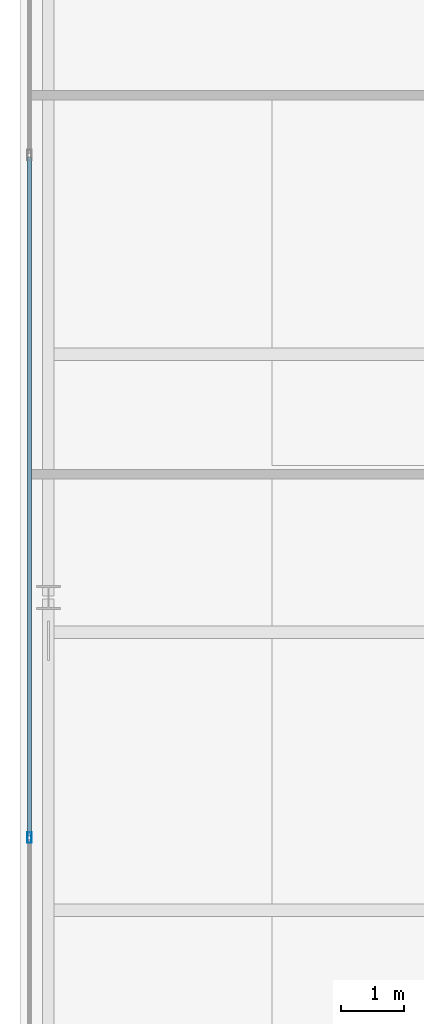
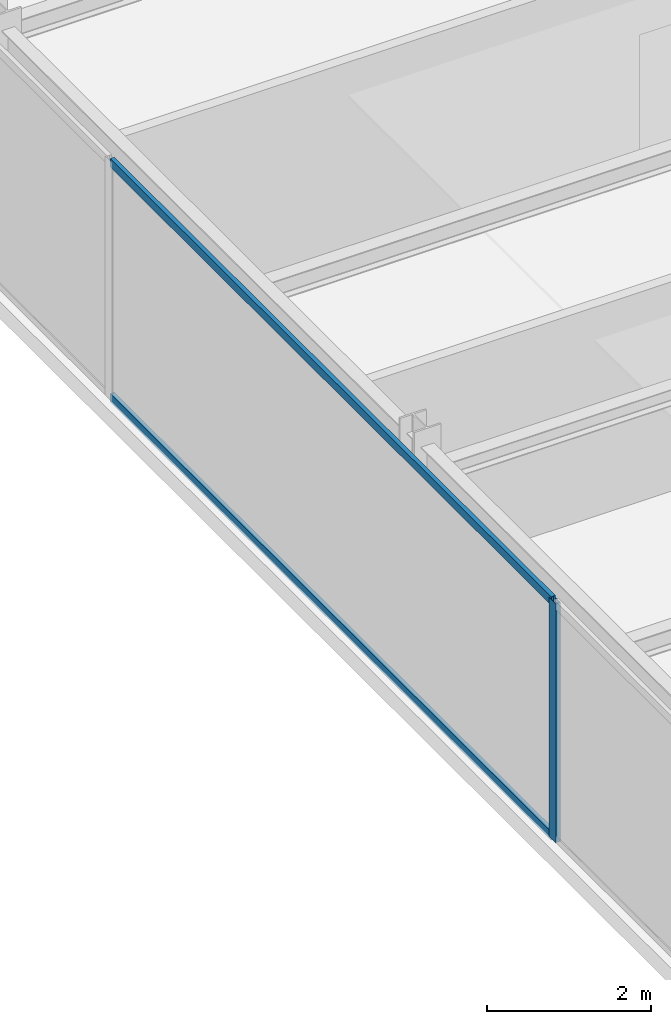
# One storey, part 9 of 30: 3 members, 1 element without a shape of its own.
"""IFC4 building model written with IfcOpenShell, lengths in metres."""

from ifc_helpers import new_model, si_unit, direction, frame, origin, origin_2d, place, context, subcontext, project, spatial, hollow_rectangle, extrude, source, transform, mapped, material, layer, layer_set, material_profile, profile_set, type_object, type_shapes, element, aggregate, save


model = new_model("IFC4")

# Units and contexts
model_context = context("Model", 3, precision=1e-05, world=origin(), true_north=direction((0.0, 1.0)))
body_context = subcontext(model_context, "Body", "Model", "MODEL_VIEW")
ifc_project = project(units=[si_unit("LENGTHUNIT", "METRE"), si_unit("AREAUNIT", "SQUARE_METRE"), si_unit("VOLUMEUNIT", "CUBIC_METRE"), si_unit("PLANEANGLEUNIT", "RADIAN"), si_unit("MASSUNIT", "GRAM", prefix="KILO")], contexts=[model_context])

# Site, building, storey
site_placement = place(None, origin())
site = spatial("IfcSite", under=ifc_project, at=site_placement, CompositionType="ELEMENT")
building_placement = place(site_placement, origin())
building = spatial("IfcBuilding", under=site, at=building_placement, Name="Varnel Quay Broadcast Tower", CompositionType="ELEMENT")
storey_placement = place(building_placement, frame((0.0, 0.0, 168.60009765625)))
storey = spatial("IfcBuildingStorey", under=building, at=storey_placement, Name="L41", CompositionType="ELEMENT", Elevation=168.60009765625)

# Curtain wall, members
ifc_material = material(Name="Anodised Bronze Aluminium 6063-T6", Category="aluminium")
ifc_layer = layer(ifc_material, 0.18994140625, Name="Anodised Bronze Aluminium 6063-T6")
ifc_layer_set = layer_set([ifc_layer], Name="Anodised Bronze Aluminium 6063-T6")
curtain_wall_type = type_object("IfcCurtainWallType", Name="CW_UpperTower", PredefinedType="NOTDEFINED", material=ifc_layer_set)
curtain_wall_placement = place(storey_placement, origin())
curtain_wall = element("IfcCurtainWall", 1, at=curtain_wall_placement, inside=storey, type_object=curtain_wall_type, Name="L41 West Unitised Curtain Wall", PredefinedType="NOTDEFINED")
ifc_material_profile_1 = material_profile(ifc_material, hollow_rectangle(XDim=0.06005859375, YDim=0.125, WallThickness=0.0029296875, at=origin_2d()), Name="ALU60X125X3")
ifc_profile_set_1 = profile_set([ifc_material_profile_1], Name="Anodised Bronze Aluminium 6063-T6")
member_type_1 = type_object("IfcMemberType", Name="Tran_CWS-03", PredefinedType="USERDEFINED", material=ifc_profile_set_1)
shared_shape_1 = source(origin(), body_context, "Body", "SweptSolid", [
    extrude(hollow_rectangle(XDim=0.06005859375, YDim=0.125, WallThickness=0.0029296875, at=origin_2d()), origin(), (0.0, 0.0, 1.0), 10.73486328125),
])
type_shapes(member_type_1, [shared_shape_1])
member_1_placement = place(storey_placement, frame((7.14990234375, 21.632568359375, 0.02978515625), z_axis=(0.0, 1.0, 0.0), x_axis=(-1.0, 0.0, 0.0)))
member_1 = element("IfcMember", 2, at=member_1_placement, type_object=member_type_1, Name="CWS-03 transom 2.1", ObjectType="TRANSOM", PredefinedType="USERDEFINED", context=body_context, shape_type="MappedRepresentation", body=[
    mapped(shared_shape_1, transform((0.0, 0.0, 0.0), x_axis=(1.0, 0.0, 0.0), y_axis=(0.0, 1.0, 0.0), z_axis=(0.0, 0.0, 1.0), scale=1.0)),
])
member_2_placement = place(storey_placement, frame((7.14990234375, 21.632568359375, 3.52001953125), z_axis=(0.0, 1.0, 0.0), x_axis=(-1.0, 0.0, 0.0)))
member_2 = element("IfcMember", 3, at=member_2_placement, type_object=member_type_1, Name="CWS-03 transom 2.2", ObjectType="TRANSOM", PredefinedType="USERDEFINED", context=body_context, shape_type="MappedRepresentation", body=[
    mapped(shared_shape_1, transform((0.0, 0.0, 0.0), x_axis=(1.0, 0.0, 0.0), y_axis=(0.0, 1.0, 0.0), z_axis=(0.0, 0.0, 1.0), scale=1.0)),
])
ifc_material_profile_2 = material_profile(ifc_material, hollow_rectangle(XDim=0.06494140625, YDim=0.1650390625, WallThickness=0.00341796875, at=origin_2d()), Name="ALU65X165X3.5")
ifc_profile_set_2 = profile_set([ifc_material_profile_2], Name="Anodised Bronze Aluminium 6063-T6")
member_type_2 = type_object("IfcMemberType", Name="Mull_CWS-03", PredefinedType="MULLION", material=ifc_profile_set_2)
shared_shape_2 = source(origin(), body_context, "Body", "SweptSolid", [
    extrude(hollow_rectangle(XDim=0.06494140625, YDim=0.1650390625, WallThickness=0.00341796875, at=origin_2d()), origin(), (0.0, 0.0, 1.0), 3.5498046875),
])
type_shapes(member_type_2, [shared_shape_2])
member_3_placement = place(storey_placement, frame((7.14990234375, 21.60009765625, 0.0), z_axis=(0.0, 0.0, 1.0), x_axis=(-1.0, 0.0, 0.0)))
member_3 = element("IfcMember", 4, at=member_3_placement, type_object=member_type_2, Name="CWS-03 mullion 2", PredefinedType="MULLION", context=body_context, shape_type="MappedRepresentation", body=[
    mapped(shared_shape_2, transform((0.0, 0.0, 0.0), x_axis=(1.0, 0.0, 0.0), y_axis=(0.0, 1.0, 0.0), z_axis=(0.0, 0.0, 1.0), scale=1.0)),
])
aggregate(curtain_wall, [member_3, member_1, member_2])

save(model, "model.ifc")
